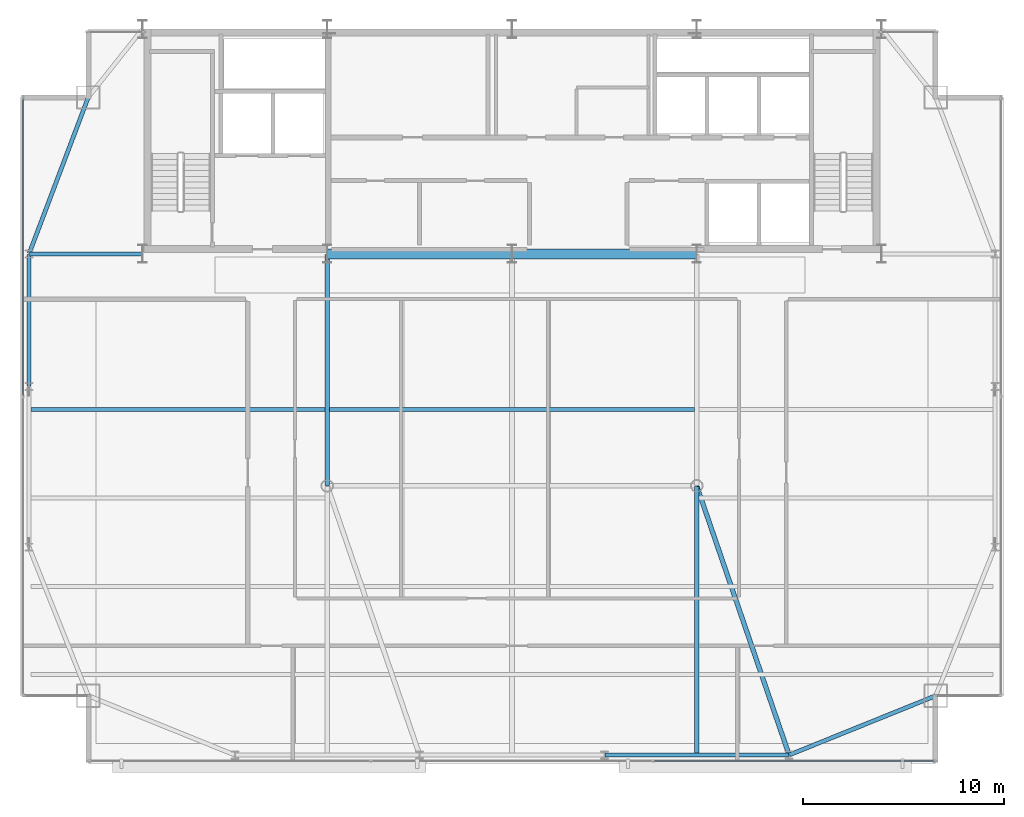
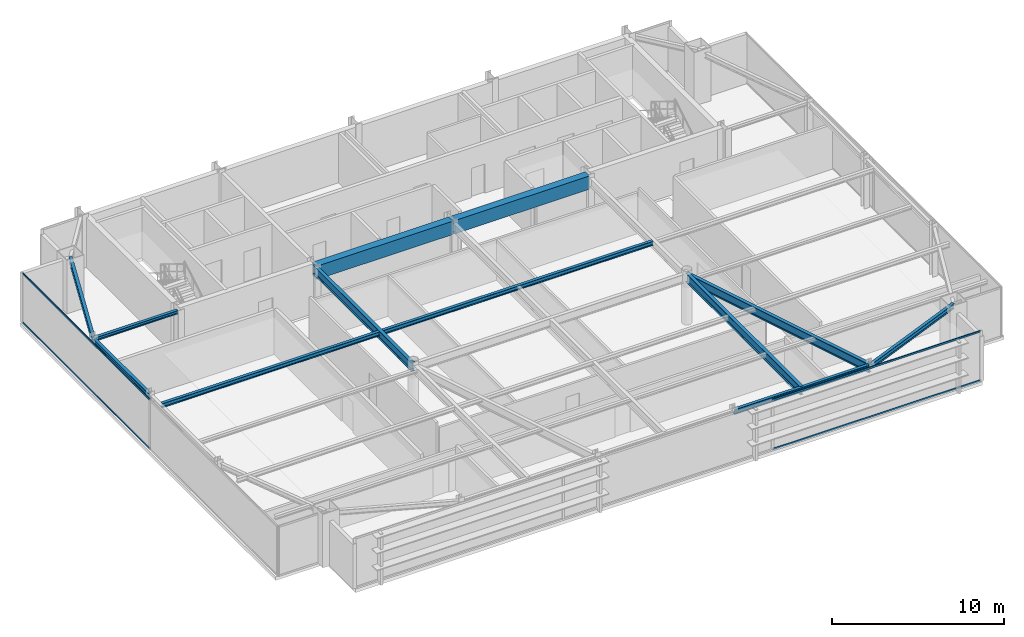
# One storey, part 10 of 25: 12 beams, 4 members, 2 elements without a shape of their own.
"""IFC4 building model written with IfcOpenShell, lengths in metres."""

from ifc_helpers import new_model, si_unit, direction, frame, origin, origin_2d, place, context, subcontext, project, spatial, rectangle, hollow_rectangle, i_section, extrude, source, transform, mapped, material, layer, layer_set, material_profile, profile_set, type_object, type_shapes, element, aggregate, save


model = new_model("IFC4")

# Units and contexts
model_context = context("Model", 3, precision=1e-05, world=origin(), true_north=direction((0.0, 1.0)))
body_context = subcontext(model_context, "Body", "Model", "MODEL_VIEW")
ifc_project = project(units=[si_unit("LENGTHUNIT", "METRE"), si_unit("AREAUNIT", "SQUARE_METRE"), si_unit("VOLUMEUNIT", "CUBIC_METRE"), si_unit("PLANEANGLEUNIT", "RADIAN"), si_unit("MASSUNIT", "GRAM", prefix="KILO")], contexts=[model_context])

# Site, building, storey
site_placement = place(None, origin())
site = spatial("IfcSite", under=ifc_project, at=site_placement, CompositionType="ELEMENT")
building_placement = place(site_placement, origin())
building = spatial("IfcBuilding", under=site, at=building_placement, Name="Varnel Quay Broadcast Tower", CompositionType="ELEMENT")
storey_placement = place(building_placement, frame((0.0, 0.0, 226.39990234375)))
storey = spatial("IfcBuildingStorey", under=building, at=storey_placement, Name="L56", CompositionType="ELEMENT", Elevation=226.39990234375)

# Beams
ifc_material_1 = material(Name="Concrete CSA A23.3 C50/60", Category="concrete")
ifc_material_profile_1 = material_profile(ifc_material_1, rectangle(XDim=0.5, YDim=0.949951171875, at=origin_2d()), Name="RC500X950")
ifc_profile_set_1 = profile_set([ifc_material_profile_1], Name="Concrete CSA A23.3 C50/60")
beam_type_1 = type_object("IfcBeamType", Name="Beam_RC500X950", PredefinedType="BEAM", material=ifc_profile_set_1)
shared_shape_1 = source(origin(), body_context, "Body", "SweptSolid", [
    extrude(rectangle(XDim=0.5, YDim=0.949951171875, at=origin_2d()), origin(), (0.0, 0.0, 1.0), 9.159912109375),
])
type_shapes(beam_type_1, [shared_shape_1])
for number, where, z_axis, x_axis, name in (
    (1, (24.820068359375, 35.60009765625, 3.0751953125), (1.0, 0.0, 0.0), (0.0, 1.0, 0.0), "L56 Core Coupling Beam W"),
    (2, (34.02001953125, 35.60009765625, 3.0751953125), (1.0, 0.0, 0.0), (0.0, 1.0, 0.0), "L56 Core Coupling Beam E"),
):
    element("IfcBeam", number, at=place(storey_placement, frame(where, z_axis=z_axis, x_axis=x_axis)), inside=storey, type_object=beam_type_1, Name=name, PredefinedType="BEAM", context=body_context, shape_type="MappedRepresentation", body=[
        mapped(shared_shape_1, transform((0.0, 0.0, 0.0), x_axis=(1.0, 0.0, 0.0), y_axis=(0.0, 1.0, 0.0), z_axis=(0.0, 0.0, 1.0), scale=1.0)),
    ])
ifc_material_2 = material(Name="Structural Steel CSA G40.21 350W", Category="steel")
ifc_material_profile_2 = material_profile(ifc_material_2, i_section(OverallWidth=0.205078125, OverallDepth=0.35400390625, WebThickness=0.009521484375, FlangeThickness=0.016845703125, FilletRadius=0.012939453125, at=origin_2d()), Name="W360X79")
ifc_profile_set_2 = profile_set([ifc_material_profile_2], Name="Structural Steel CSA G40.21 350W")
beam_type_2 = type_object("IfcBeamType", Name="Beam_W360X79", PredefinedType="SPANDREL", material=ifc_profile_set_2)
shared_shape_2 = source(origin(), body_context, "Body", "SweptSolid", [
    extrude(i_section(OverallWidth=0.205078125, OverallDepth=0.35400390625, WebThickness=0.009521484375, FlangeThickness=0.016845703125, FilletRadius=0.012939453125, at=origin_2d()), origin(), (0.0, 0.0, 1.0), 7.83349609375),
])
beam_1_placement = place(storey_placement, frame((47.818603515625, 10.657470703125, 3.373046875), z_axis=(0.927155449606, 0.374676890489, 0.0), x_axis=(-0.374676890489, 0.927155449606, 0.0)))
element("IfcBeam", 3, at=beam_1_placement, inside=storey, type_object=beam_type_2, Name="L56 South Spandrel TC-S4-MC-SE", PredefinedType="SPANDREL", context=body_context, shape_type="MappedRepresentation", body=[
    mapped(shared_shape_2, transform((0.0, 0.0, 0.0), x_axis=(1.0, 0.0, 0.0), y_axis=(0.0, 1.0, 0.0), z_axis=(0.0, 0.0, 1.0), scale=1.0)),
])
shared_shape_3 = source(origin(), body_context, "Body", "SweptSolid", [
    extrude(i_section(OverallWidth=0.205078125, OverallDepth=0.35400390625, WebThickness=0.009521484375, FlangeThickness=0.016845703125, FilletRadius=0.012939453125, at=origin_2d()), origin(), (0.0, 0.0, 1.0), 9.159912109375),
])
beam_2_placement = place(storey_placement, frame((38.6201171875, 10.64990234375, 3.373046875), z_axis=(1.0, 0.0, 0.0), x_axis=(0.0, 1.0, 0.0)))
element("IfcBeam", 4, at=beam_2_placement, inside=storey, type_object=beam_type_2, Name="L56 South Spandrel TC-S3-TC-S4", PredefinedType="SPANDREL", context=body_context, shape_type="MappedRepresentation", body=[
    mapped(shared_shape_3, transform((0.0, 0.0, 0.0), x_axis=(1.0, 0.0, 0.0), y_axis=(0.0, 1.0, 0.0), z_axis=(0.0, 0.0, 1.0), scale=1.0)),
])
shared_shape_4 = source(origin(), body_context, "Body", "SweptSolid", [
    extrude(i_section(OverallWidth=0.205078125, OverallDepth=0.35400390625, WebThickness=0.009521484375, FlangeThickness=0.016845703125, FilletRadius=0.012939453125, at=origin_2d()), origin(), (0.0, 0.0, 1.0), 6.56005859375),
])
beam_3_placement = place(storey_placement, frame((9.949951171875, 29.02001953125, 3.373046875), z_axis=(0.0, 1.0, 0.0), x_axis=(-1.0, 0.0, 0.0)))
element("IfcBeam", 5, at=beam_3_placement, inside=storey, type_object=beam_type_2, Name="L56 West Spandrel TC-W2-TC-W3", PredefinedType="SPANDREL", context=body_context, shape_type="MappedRepresentation", body=[
    mapped(shared_shape_4, transform((0.0, 0.0, 0.0), x_axis=(1.0, 0.0, 0.0), y_axis=(0.0, 1.0, 0.0), z_axis=(0.0, 0.0, 1.0), scale=1.0)),
])
shared_shape_5 = source(origin(), body_context, "Body", "SweptSolid", [
    extrude(i_section(OverallWidth=0.205078125, OverallDepth=0.35400390625, WebThickness=0.009521484375, FlangeThickness=0.016845703125, FilletRadius=0.012939453125, at=origin_2d()), origin(), (0.0, 0.0, 1.0), 8.29931640625),
])
type_shapes(beam_type_2, [shared_shape_2, shared_shape_3, shared_shape_4, shared_shape_5])
beam_4_placement = place(storey_placement, frame((9.95703125, 35.61865234375, 3.373046875), z_axis=(0.353739782058, 0.935343876117, 0.0), x_axis=(-0.935343876117, 0.353739782058, 0.0)))
element("IfcBeam", 6, at=beam_4_placement, inside=storey, type_object=beam_type_2, Name="L56 West Spandrel TC-W3-MC-NW", PredefinedType="SPANDREL", context=body_context, shape_type="MappedRepresentation", body=[
    mapped(shared_shape_5, transform((0.0, 0.0, 0.0), x_axis=(1.0, 0.0, 0.0), y_axis=(0.0, 1.0, 0.0), z_axis=(0.0, 0.0, 1.0), scale=1.0)),
])
ifc_material_profile_3 = material_profile(ifc_material_2, i_section(OverallWidth=0.22998046875, OverallDepth=0.616943359375, WebThickness=0.01318359375, FlangeThickness=0.022216796875, FilletRadius=0.01611328125, at=origin_2d()), Name="W610X140")
ifc_profile_set_3 = profile_set([ifc_material_profile_3], Name="Structural Steel CSA G40.21 350W")
beam_type_3 = type_object("IfcBeamType", Name="Girder_W610X140", PredefinedType="BEAM", material=ifc_profile_set_3)
shared_shape_6 = source(origin(), body_context, "Body", "SweptSolid", [
    extrude(i_section(OverallWidth=0.22998046875, OverallDepth=0.616943359375, WebThickness=0.01318359375, FlangeThickness=0.022216796875, FilletRadius=0.01611328125, at=origin_2d()), origin(), (0.0, 0.0, 1.0), 14.12744140625),
])
beam_5_placement = place(storey_placement, frame((47.79345703125, 10.6689453125, 3.24169921875), z_axis=(-0.324681288447, 0.945823482967, 0.0), x_axis=(-0.945823482967, -0.324681288447, 0.0)))
element("IfcBeam", 7, at=beam_5_placement, inside=storey, type_object=beam_type_3, Name="L56 Primary Girder TC-S4-IC-02", PredefinedType="BEAM", context=body_context, shape_type="MappedRepresentation", body=[
    mapped(shared_shape_6, transform((0.0, 0.0, 0.0), x_axis=(1.0, 0.0, 0.0), y_axis=(0.0, 1.0, 0.0), z_axis=(0.0, 0.0, 1.0), scale=1.0)),
])
shared_shape_7 = source(origin(), body_context, "Body", "SweptSolid", [
    extrude(i_section(OverallWidth=0.22998046875, OverallDepth=0.616943359375, WebThickness=0.01318359375, FlangeThickness=0.022216796875, FilletRadius=0.01611328125, at=origin_2d()), origin(), (0.0, 0.0, 1.0), 11.510009765625),
])
beam_6_placement = place(storey_placement, frame((24.800048828125, 24.070068359375, 3.24169921875), z_axis=(0.0, 1.0, 0.0), x_axis=(-1.0, 0.0, 0.0)))
element("IfcBeam", 8, at=beam_6_placement, inside=storey, type_object=beam_type_3, Name="L56 Primary Girder IC-01-CC-S2", PredefinedType="BEAM", context=body_context, shape_type="MappedRepresentation", body=[
    mapped(shared_shape_7, transform((0.0, 0.0, 0.0), x_axis=(1.0, 0.0, 0.0), y_axis=(0.0, 1.0, 0.0), z_axis=(0.0, 0.0, 1.0), scale=1.0)),
])
shared_shape_8 = source(origin(), body_context, "Body", "SweptSolid", [
    extrude(i_section(OverallWidth=0.22998046875, OverallDepth=0.616943359375, WebThickness=0.01318359375, FlangeThickness=0.022216796875, FilletRadius=0.01611328125, at=origin_2d()), origin(), (0.0, 0.0, 1.0), 13.360107421875),
])
type_shapes(beam_type_3, [shared_shape_6, shared_shape_7, shared_shape_8])
beam_7_placement = place(storey_placement, frame((43.199951171875, 10.669921875, 3.24169921875), z_axis=(0.0, 1.0, 0.0), x_axis=(-1.0, 0.0, 0.0)))
element("IfcBeam", 9, at=beam_7_placement, inside=storey, type_object=beam_type_3, Name="L56 N-S Joist Header IC-02S", PredefinedType="BEAM", context=body_context, shape_type="MappedRepresentation", body=[
    mapped(shared_shape_8, transform((0.0, 0.0, 0.0), x_axis=(1.0, 0.0, 0.0), y_axis=(0.0, 1.0, 0.0), z_axis=(0.0, 0.0, 1.0), scale=1.0)),
])
ifc_material_profile_4 = material_profile(ifc_material_2, i_section(OverallWidth=0.201904296875, OverallDepth=0.2470703125, WebThickness=0.00732421875, FlangeThickness=0.010986328125, FilletRadius=0.010986328125, at=origin_2d()), Name="W250X49")
ifc_profile_set_4 = profile_set([ifc_material_profile_4], Name="Structural Steel CSA G40.21 350W")
beam_type_4 = type_object("IfcBeamType", Name="Beam_W250X49", PredefinedType="JOIST", material=ifc_profile_set_4)
shared_shape_9 = source(origin(), body_context, "Body", "SweptSolid", [
    extrude(i_section(OverallWidth=0.201904296875, OverallDepth=0.2470703125, WebThickness=0.00732421875, FlangeThickness=0.010986328125, FilletRadius=0.010986328125, at=origin_2d()), origin(), (0.0, 0.0, 1.0), 5.610107421875),
])
type_shapes(beam_type_4, [shared_shape_9])
beam_8_placement = place(storey_placement, frame((9.969970703125, 35.60009765625, 3.426513671875), z_axis=(1.0, 0.0, 0.0), x_axis=(0.0, 1.0, 0.0)))
element("IfcBeam", 10, at=beam_8_placement, inside=storey, type_object=beam_type_4, Name="L56 West Core Tie Joist", PredefinedType="JOIST", context=body_context, shape_type="MappedRepresentation", body=[
    mapped(shared_shape_9, transform((0.0, 0.0, 0.0), x_axis=(1.0, 0.0, 0.0), y_axis=(0.0, 1.0, 0.0), z_axis=(0.0, 0.0, 1.0), scale=1.0)),
])
ifc_material_profile_5 = material_profile(ifc_material_2, i_section(OverallWidth=0.202880859375, OverallDepth=0.302978515625, WebThickness=0.007568359375, FlangeThickness=0.01318359375, FilletRadius=0.011962890625, at=origin_2d()), Name="W310X60")
ifc_profile_set_5 = profile_set([ifc_material_profile_5], Name="Structural Steel CSA G40.21 350W")
beam_type_5 = type_object("IfcBeamType", Name="Beam_W310X60", PredefinedType="JOIST", material=ifc_profile_set_5)
shared_shape_10 = source(origin(), body_context, "Body", "SweptSolid", [
    extrude(i_section(OverallWidth=0.202880859375, OverallDepth=0.302978515625, WebThickness=0.007568359375, FlangeThickness=0.01318359375, FilletRadius=0.011962890625, at=origin_2d()), origin(), (0.0, 0.0, 1.0), 14.642333984375),
])
beam_9_placement = place(storey_placement, frame((10.047607421875, 27.85009765625, 3.398681640625), z_axis=(1.0, 0.0, 0.0), x_axis=(0.0, 1.0, 0.0)))
element("IfcBeam", 11, at=beam_9_placement, inside=storey, type_object=beam_type_5, Name="L56 West Floor Joist 4", PredefinedType="JOIST", context=body_context, shape_type="MappedRepresentation", body=[
    mapped(shared_shape_10, transform((0.0, 0.0, 0.0), x_axis=(1.0, 0.0, 0.0), y_axis=(0.0, 1.0, 0.0), z_axis=(0.0, 0.0, 1.0), scale=1.0)),
])
shared_shape_11 = source(origin(), body_context, "Body", "SweptSolid", [
    extrude(i_section(OverallWidth=0.202880859375, OverallDepth=0.302978515625, WebThickness=0.007568359375, FlangeThickness=0.01318359375, FilletRadius=0.011962890625, at=origin_2d()), origin(), (0.0, 0.0, 1.0), 18.18017578125),
])
type_shapes(beam_type_5, [shared_shape_10, shared_shape_11])
beam_10_placement = place(storey_placement, frame((24.909912109375, 27.85009765625, 3.398681640625), z_axis=(1.0, 0.0, 0.0), x_axis=(0.0, 1.0, 0.0)))
element("IfcBeam", 12, at=beam_10_placement, inside=storey, type_object=beam_type_5, Name="L56 Central Floor Joist 4", PredefinedType="JOIST", context=body_context, shape_type="MappedRepresentation", body=[
    mapped(shared_shape_11, transform((0.0, 0.0, 0.0), x_axis=(1.0, 0.0, 0.0), y_axis=(0.0, 1.0, 0.0), z_axis=(0.0, 0.0, 1.0), scale=1.0)),
])

# Curtain wall, members
ifc_material_3 = material(Name="Anodised Bronze Aluminium 6063-T6", Category="aluminium")
ifc_layer = layer(ifc_material_3, 0.18994140625, Name="Anodised Bronze Aluminium 6063-T6")
ifc_layer_set = layer_set([ifc_layer], Name="Anodised Bronze Aluminium 6063-T6")
curtain_wall_type = type_object("IfcCurtainWallType", Name="CW_UpperTower", PredefinedType="NOTDEFINED", material=ifc_layer_set)
curtain_wall_1_placement = place(storey_placement, origin())
curtain_wall_1 = element("IfcCurtainWall", 13, at=curtain_wall_1_placement, inside=storey, type_object=curtain_wall_type, Name="L56 West Unitised Curtain Wall", PredefinedType="NOTDEFINED")
ifc_material_profile_6 = material_profile(ifc_material_3, hollow_rectangle(XDim=0.06005859375, YDim=0.125, WallThickness=0.0029296875, at=origin_2d()), Name="ALU60X125X3")
ifc_profile_set_6 = profile_set([ifc_material_profile_6], Name="Anodised Bronze Aluminium 6063-T6")
member_type = type_object("IfcMemberType", Name="Tran_CWS-03", PredefinedType="USERDEFINED", material=ifc_profile_set_6)
shared_shape_12 = source(origin(), body_context, "Body", "SweptSolid", [
    extrude(hollow_rectangle(XDim=0.06005859375, YDim=0.125, WallThickness=0.0029296875, at=origin_2d()), origin(), (0.0, 0.0, 1.0), 14.802490234375),
])
member_1_placement = place(storey_placement, frame((9.64990234375, 28.532470703125, 0.030029296875), z_axis=(0.0, 1.0, 0.0), x_axis=(-1.0, 0.0, 0.0)))
member_1 = element("IfcMember", 14, at=member_1_placement, type_object=member_type, Name="CWS-03 transom 2.1", ObjectType="TRANSOM", PredefinedType="USERDEFINED", context=body_context, shape_type="MappedRepresentation", body=[
    mapped(shared_shape_12, transform((0.0, 0.0, 0.0), x_axis=(1.0, 0.0, 0.0), y_axis=(0.0, 1.0, 0.0), z_axis=(0.0, 0.0, 1.0), scale=1.0)),
])
member_2_placement = place(storey_placement, frame((9.64990234375, 28.532470703125, 3.52001953125), z_axis=(0.0, 1.0, 0.0), x_axis=(-1.0, 0.0, 0.0)))
member_2 = element("IfcMember", 15, at=member_2_placement, type_object=member_type, Name="CWS-03 transom 2.2", ObjectType="TRANSOM", PredefinedType="USERDEFINED", context=body_context, shape_type="MappedRepresentation", body=[
    mapped(shared_shape_12, transform((0.0, 0.0, 0.0), x_axis=(1.0, 0.0, 0.0), y_axis=(0.0, 1.0, 0.0), z_axis=(0.0, 0.0, 1.0), scale=1.0)),
])
aggregate(curtain_wall_1, [member_1, member_2])

curtain_wall_2_placement = place(storey_placement, origin())
curtain_wall_2 = element("IfcCurtainWall", 16, at=curtain_wall_2_placement, inside=storey, type_object=curtain_wall_type, Name="L56 South Unitised Curtain Wall 1", PredefinedType="NOTDEFINED")
shared_shape_13 = source(origin(), body_context, "Body", "SweptSolid", [
    extrude(hollow_rectangle(XDim=0.06005859375, YDim=0.125, WallThickness=0.0029296875, at=origin_2d()), origin(), (0.0, 0.0, 1.0), 13.968994140625),
])
type_shapes(member_type, [shared_shape_12, shared_shape_13])
member_3_placement = place(storey_placement, frame((41.06591796875, 10.35009765625, 0.030029296875), z_axis=(1.0, 0.0, 0.0), x_axis=(0.0, 1.0, 0.0)))
member_3 = element("IfcMember", 17, at=member_3_placement, type_object=member_type, Name="CWS-03 transom 3.1", ObjectType="TRANSOM", PredefinedType="USERDEFINED", context=body_context, shape_type="MappedRepresentation", body=[
    mapped(shared_shape_13, transform((0.0, 0.0, 0.0), x_axis=(1.0, 0.0, 0.0), y_axis=(0.0, 1.0, 0.0), z_axis=(0.0, 0.0, 1.0), scale=1.0)),
])
member_4_placement = place(storey_placement, frame((41.06591796875, 10.35009765625, 3.52001953125), z_axis=(1.0, 0.0, 0.0), x_axis=(0.0, 1.0, 0.0)))
member_4 = element("IfcMember", 18, at=member_4_placement, type_object=member_type, Name="CWS-03 transom 3.2", ObjectType="TRANSOM", PredefinedType="USERDEFINED", context=body_context, shape_type="MappedRepresentation", body=[
    mapped(shared_shape_13, transform((0.0, 0.0, 0.0), x_axis=(1.0, 0.0, 0.0), y_axis=(0.0, 1.0, 0.0), z_axis=(0.0, 0.0, 1.0), scale=1.0)),
])
aggregate(curtain_wall_2, [member_3, member_4])

save(model, "model.ifc")
